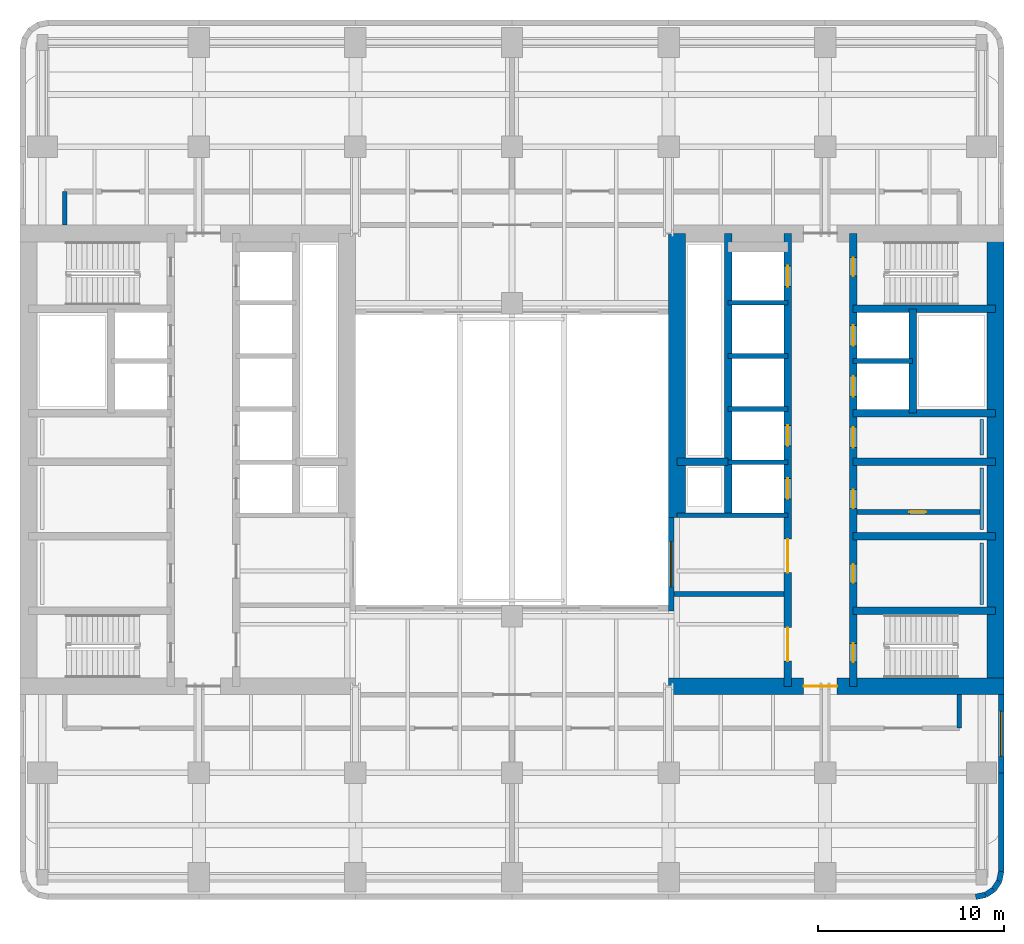
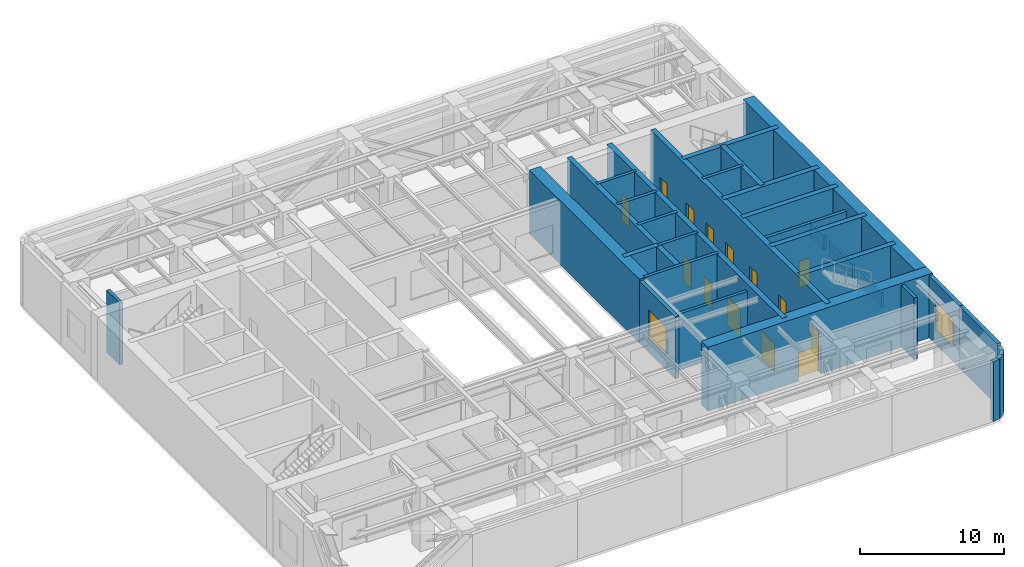
# One storey, part 5 of 10: 33 walls, 14 doors, 2 windows, 16 openings.
"""IFC4 building model written with IfcOpenShell, lengths in metres."""

from ifc_helpers import new_model, si_unit, direction, frame, frame_2d, origin, place, context, subcontext, project, spatial, rectangle, extrude, material, layer, layer_set, type_object, element, fill, save


model = new_model("IFC4")

# Units and contexts
model_context = context("Model", 3, precision=1e-05, world=origin(), true_north=direction((0.0, 1.0)))
body_context = subcontext(model_context, "Body", "Model", "MODEL_VIEW")
ifc_project = project(units=[si_unit("LENGTHUNIT", "METRE"), si_unit("AREAUNIT", "SQUARE_METRE"), si_unit("VOLUMEUNIT", "CUBIC_METRE"), si_unit("PLANEANGLEUNIT", "RADIAN"), si_unit("MASSUNIT", "GRAM", prefix="KILO")], contexts=[model_context])

# Site, building, storey
site_placement = place(None, origin())
site = spatial("IfcSite", under=ifc_project, at=site_placement, CompositionType="ELEMENT")
building_placement = place(site_placement, origin())
building = spatial("IfcBuilding", under=site, at=building_placement, Name="Claustro Exchange Tower", CompositionType="ELEMENT")
storey_placement = place(building_placement, frame((0.0, 0.0, 168.0)))
storey = spatial("IfcBuildingStorey", under=building, at=storey_placement, Name="L38", CompositionType="ELEMENT", Elevation=168.0)

# Walls
ifc_material_1 = material(Name="Concrete blockwork, rendered", Category="masonry")
ifc_layer_1 = layer(ifc_material_1, 0.25)
ifc_layer_set_1 = layer_set([ifc_layer_1], Name="Concrete blockwork, rendered")
wall_type_1 = type_object("IfcWallType", Name="P4 250 blockwork wall", PredefinedType="PARTITIONING", material=ifc_layer_set_1)
wall_1_placement = place(storey_placement, frame((33.89794921875, 18.0, 0.0), z_axis=(0.0, 0.0, 1.0), x_axis=(1.0, 0.0, 0.0)))
element("IfcWall", 1, at=wall_1_placement, inside=storey, type_object=wall_type_1, Name="Partition P4 L38", PredefinedType="PARTITIONING", context=body_context, shape_type="SweptSolid", body=[
    extrude(rectangle(XDim=5.904052734375, YDim=0.25, at=frame_2d((2.9521484375, 0.0))), origin(), (0.0, 0.0, 1.0), 4.75),
])
wall_2_placement = place(storey_placement, frame((49.199951171875, 10.800048828125, 0.0), z_axis=(0.0, 0.0, 1.0), x_axis=(0.0, 1.0, 0.0)))
element("IfcWall", 2, at=wall_2_placement, inside=storey, type_object=wall_type_1, Name="Partition P4 L38", PredefinedType="PARTITIONING", context=body_context, shape_type="SweptSolid", body=[
    extrude(rectangle(XDim=1.802001953125, YDim=0.25, at=frame_2d((0.90087890625, 0.0))), origin(), (0.0, 0.0, 1.0), 5.25),
])
wall_3_placement = place(storey_placement, frame((1.199951171875, 37.800048828125, 0.0), z_axis=(0.0, 0.0, 1.0), x_axis=(0.0, 1.0, 0.0)))
element("IfcWall", 3, at=wall_3_placement, inside=storey, type_object=wall_type_1, Name="Partition P4 L38", PredefinedType="PARTITIONING", context=body_context, shape_type="SweptSolid", body=[
    extrude(rectangle(XDim=1.800048828125, YDim=0.25, at=frame_2d((0.89990234375, 0.0))), origin(), (0.0, 0.0, 1.0), 5.25),
])

# Wall, opening, door
wall_4_placement = place(storey_placement, frame((43.699951171875, 22.39990234375, 0.0), z_axis=(0.0, 0.0, 1.0), x_axis=(1.0, 0.0, 0.0)))
wall_4 = element("IfcWall", 4, at=wall_4_placement, inside=storey, type_object=wall_type_1, Name="Partition P4 L38", PredefinedType="PARTITIONING", context=body_context, shape_type="SweptSolid", body=[
    extrude(rectangle(XDim=6.60009765625, YDim=0.25, at=frame_2d((3.300048828125, 0.0))), origin(), (0.0, 0.0, 1.0), 5.199951171875),
])
opening_1_placement = place(wall_4_placement, frame((2.824951171875, 0.0, 0.0)))
opening_1 = element("IfcOpeningElement", 5, at=opening_1_placement, cuts=wall_4, Name="Opening D5", PredefinedType="OPENING", context=body_context, shape_type="SweptSolid", body=[
    extrude(rectangle(XDim=0.89990234375, YDim=2.199951171875, at=frame_2d((0.449951171875, 1.10009765625))), frame((0.0, 0.135009765625, 0.0), z_axis=(0.0, -1.0, 0.0), x_axis=(1.0, 0.0, 0.0)), (0.0, 0.0, 1.0), 0.27001953125),
])
ifc_material_2 = material(Name="Steel door, painted", Category="steel")
door_type_1 = type_object("IfcDoorType", Name="D5 900 x 2200 store door", OperationType="SINGLE_SWING_LEFT", PredefinedType="DOOR", material=ifc_material_2)
door_1_placement = place(opening_1_placement, frame((0.89990234375, 0.0, 0.0), z_axis=(0.0, 0.0, 1.0), x_axis=(-1.0, 0.0, 0.0)))
door_1 = element("IfcDoor", 6, at=door_1_placement, inside=storey, type_object=door_type_1, Name="Store door D5 L38", OperationType="SINGLE_SWING_LEFT", OverallHeight=2.199951171875, OverallWidth=0.89990234375, PredefinedType="DOOR", context=body_context, shape_type="SweptSolid", body=[
    extrude(rectangle(XDim=0.89990234375, YDim=2.199951171875, at=frame_2d((0.449951171875, 1.10009765625))), frame((0.0, 0.02490234375, 0.0), z_axis=(0.0, -1.0, 0.0), x_axis=(1.0, 0.0, 0.0)), (0.0, 0.0, 1.0), 0.050048828125),
])
fill(opening_1, door_1)

# Wall, opening, window
ifc_material_3 = material(Name="Concrete HA-40 (C40/50), precast, white cement, acid-etched", Category="concrete")
ifc_layer_2 = layer(ifc_material_3, 0.300048828125)
ifc_layer_set_2 = layer_set([ifc_layer_2], Name="Concrete HA-40 (C40/50), precast, white cement, acid-etched")
wall_type_2 = type_object("IfcWallType", Name="PC1 300 precast concrete pier panel", PredefinedType="SOLIDWALL", material=ifc_layer_set_2)
wall_5_placement = place(storey_placement, frame((51.449951171875, 12.60009765625, 0.0), z_axis=(0.0, 0.0, 1.0), x_axis=(0.0, -1.0, 0.0)))
wall_5 = element("IfcWall", 7, at=wall_5_placement, inside=storey, type_object=wall_type_2, Name="Precast pier panel PC1 L38", PredefinedType="SOLIDWALL", context=body_context, shape_type="SweptSolid", body=[
    extrude(rectangle(XDim=4.2001953125, YDim=0.300048828125, at=frame_2d((2.10009765625, 0.0))), origin(), (0.0, 0.0, 1.0), 5.25),
])
opening_2_placement = place(wall_5_placement, frame((0.89990234375, 0.0, 1.199951171875)))
opening_2 = element("IfcOpeningElement", 8, at=opening_2_placement, cuts=wall_5, Name="Opening L2", PredefinedType="OPENING", context=body_context, shape_type="SweptSolid", body=[
    extrude(rectangle(XDim=2.39990234375, YDim=2.39990234375, at=frame_2d((1.199951171875, 1.199951171875))), frame((0.0, 0.159912109375, 0.0), z_axis=(0.0, -1.0, 0.0), x_axis=(1.0, 0.0, 0.0)), (0.0, 0.0, 1.0), 0.320068359375),
])
ifc_material_4 = material(Name="Aluminium louvre blades", Category="aluminium")
window_type = type_object("IfcWindowType", Name="L2 2400 x 2400 plant louvre", PartitioningType="SINGLE_PANEL", PredefinedType="USERDEFINED", material=ifc_material_4)
window_1_placement = place(opening_2_placement, origin())
window_1 = element("IfcWindow", 9, at=window_1_placement, inside=storey, type_object=window_type, Name="Plant louvre L2 L38", ObjectType="LOUVRE", OverallHeight=2.39990234375, OverallWidth=2.39990234375, PartitioningType="SINGLE_PANEL", PredefinedType="USERDEFINED", context=body_context, shape_type="SweptSolid", body=[
    extrude(rectangle(XDim=2.39990234375, YDim=2.39990234375, at=frame_2d((1.199951171875, 1.199951171875))), frame((0.0, 0.030029296875, 0.0), z_axis=(0.0, -1.0, 0.0), x_axis=(1.0, 0.0, 0.0)), (0.0, 0.0, 1.0), 0.06005859375),
])
fill(opening_2, window_1)

# Walls
wall_6_placement = place(storey_placement, frame((51.449951171875, 8.39990234375, 0.0), z_axis=(0.0, 0.0, 1.0), x_axis=(0.0, -1.0, 0.0)))
element("IfcWall", 10, at=wall_6_placement, inside=storey, type_object=wall_type_2, Name="Precast pier panel PC1 L38", PredefinedType="SOLIDWALL", context=body_context, shape_type="SweptSolid", body=[
    extrude(rectangle(XDim=5.28515625, YDim=0.300048828125, at=frame_2d((2.642578125, 0.0))), origin(), (0.0, 0.0, 1.0), 5.239990234375),
])
wall_7_placement = place(storey_placement, frame((51.449951171875, 3.11474609375, 0.0), z_axis=(0.0, 0.0, 1.0), x_axis=(-0.195073962632, -0.980788534345, 0.0)))
element("IfcWall", 11, at=wall_7_placement, inside=storey, type_object=wall_type_2, Name="Precast pier panel PC1 L38", PredefinedType="SOLIDWALL", context=body_context, shape_type="SweptSolid", body=[
    extrude(rectangle(XDim=0.540771484375, YDim=0.300048828125, at=frame_2d((0.2705078125, 0.0))), origin(), (0.0, 0.0, 1.0), 5.0400390625),
])
for number, where, z_axis, x_axis, name in (
    (12, (51.344482421875, 2.58447265625, 0.0), (0.0, 0.0, 1.0), (-0.555557463938, -0.831478144188, 0.0), "Precast pier panel PC1 L38"),
    (13, (51.052490234375, 2.1474609375, 0.0), (0.0, 0.0, 1.0), (-0.831478144188, -0.555557463938, 0.0), "Precast pier panel PC1 L38"),
):
    element("IfcWall", number, at=place(storey_placement, frame(where, z_axis=z_axis, x_axis=x_axis)), inside=storey, type_object=wall_type_2, Name=name, PredefinedType="SOLIDWALL", context=body_context, shape_type="SweptSolid", body=[
        extrude(rectangle(XDim=0.525634765625, YDim=0.300048828125, at=frame_2d((0.2626953125, 0.0))), origin(), (0.0, 0.0, 1.0), 5.0400390625),
    ])
wall_8_placement = place(storey_placement, frame((50.615478515625, 1.85546875, 0.0), z_axis=(0.0, 0.0, 1.0), x_axis=(-0.980788534345, -0.195073962632, 0.0)))
element("IfcWall", 14, at=wall_8_placement, inside=storey, type_object=wall_type_2, Name="Precast pier panel PC1 L38", PredefinedType="SOLIDWALL", context=body_context, shape_type="SweptSolid", body=[
    extrude(rectangle(XDim=0.540771484375, YDim=0.300048828125, at=frame_2d((0.2705078125, 0.0))), origin(), (0.0, 0.0, 1.0), 5.0400390625),
])

# Wall, opening, window
wall_9_placement = place(storey_placement, frame((33.75, 17.10009765625, 0.0), z_axis=(0.0, 0.0, 1.0), x_axis=(0.0, 1.0, 0.0)))
wall_9 = element("IfcWall", 15, at=wall_9_placement, inside=storey, type_object=wall_type_2, Name="Precast pier panel PC1 L38", PredefinedType="SOLIDWALL", context=body_context, shape_type="SweptSolid", body=[
    extrude(rectangle(XDim=5.0, YDim=0.300048828125, at=frame_2d((2.5, 0.0))), origin(), (0.0, 0.0, 1.0), 5.25),
])
opening_3_placement = place(wall_9_placement, frame((1.300048828125, 0.0, 1.199951171875)))
opening_3 = element("IfcOpeningElement", 16, at=opening_3_placement, cuts=wall_9, Name="Opening L2", PredefinedType="OPENING", context=body_context, shape_type="SweptSolid", body=[
    extrude(rectangle(XDim=2.39990234375, YDim=2.39990234375, at=frame_2d((1.199951171875, 1.199951171875))), frame((0.0, 0.159912109375, 0.0), z_axis=(0.0, -1.0, 0.0), x_axis=(1.0, 0.0, 0.0)), (0.0, 0.0, 1.0), 0.320068359375),
])
window_2_placement = place(opening_3_placement, origin())
window_2 = element("IfcWindow", 17, at=window_2_placement, inside=storey, type_object=window_type, Name="Plant louvre L2 L38", ObjectType="LOUVRE", OverallHeight=2.39990234375, OverallWidth=2.39990234375, PartitioningType="SINGLE_PANEL", PredefinedType="USERDEFINED", context=body_context, shape_type="SweptSolid", body=[
    extrude(rectangle(XDim=2.39990234375, YDim=2.39990234375, at=frame_2d((1.199951171875, 1.199951171875))), frame((0.0, 0.030029296875, 0.0), z_axis=(0.0, -1.0, 0.0), x_axis=(1.0, 0.0, 0.0)), (0.0, 0.0, 1.0), 0.06005859375),
])
fill(opening_3, window_2)

# Walls
ifc_material_5 = material(Name="Gypsum board on steel studs, tiled", Category="steel")
ifc_layer_3 = layer(ifc_material_5, 0.199951171875)
ifc_layer_set_3 = layer_set([ifc_layer_3], Name="Gypsum board on steel studs, tiled")
wall_type_3 = type_object("IfcWallType", Name="PW1 200 WC duct wall", PredefinedType="PLUMBINGWALL", material=ifc_layer_set_3)
for number, where, z_axis, x_axis, name in (
    (18, (50.39990234375, 17.449951171875, 0.0), (0.0, 0.0, 1.0), (0.0, 1.0, 0.0), "WC duct wall PW1 L38"),
    (19, (50.39990234375, 21.449951171875, 0.0), (0.0, 0.0, 1.0), (0.0, 1.0, 0.0), "WC duct wall PW1 L38"),
):
    element("IfcWall", number, at=place(storey_placement, frame(where, z_axis=z_axis, x_axis=x_axis)), inside=storey, type_object=wall_type_3, Name=name, PredefinedType="PLUMBINGWALL", context=body_context, shape_type="SweptSolid", body=[
        extrude(rectangle(XDim=3.300048828125, YDim=0.199951171875, at=frame_2d((1.64990234375, 0.0))), origin(), (0.0, 0.0, 1.0), 1.199951171875),
    ])
wall_10_placement = place(storey_placement, frame((50.39990234375, 25.449951171875, 0.0), z_axis=(0.0, 0.0, 1.0), x_axis=(0.0, 1.0, 0.0)))
element("IfcWall", 20, at=wall_10_placement, inside=storey, type_object=wall_type_3, Name="WC duct wall PW1 L38", PredefinedType="PLUMBINGWALL", context=body_context, shape_type="SweptSolid", body=[
    extrude(rectangle(XDim=1.900146484375, YDim=0.199951171875, at=frame_2d((0.9501953125, 0.0))), origin(), (0.0, 0.0, 1.0), 1.199951171875),
])

# Wall, opening, door
ifc_material_6 = material(Name="Concrete HA-70 (C70/85)", Category="concrete")
ifc_layer_4 = layer(ifc_material_6, 0.89990234375)
ifc_layer_set_4 = layer_set([ifc_layer_4], Name="Concrete HA-70 (C70/85)")
wall_type_4 = type_object("IfcWallType", Name="SW1 900 core shear wall", PredefinedType="SHEAR", material=ifc_layer_set_4)
wall_11_placement = place(storey_placement, frame((33.60009765625, 13.050048828125, 0.0), z_axis=(0.0, 0.0, 1.0), x_axis=(1.0, 0.0, 0.0)))
wall_11 = element("IfcWall", 21, at=wall_11_placement, inside=storey, type_object=wall_type_4, Name="Core wall SW1 E core S face L38", PredefinedType="SHEAR", context=body_context, shape_type="SweptSolid", body=[
    extrude(rectangle(XDim=18.0, YDim=0.89990234375, at=frame_2d((9.0, 0.0))), origin(), (0.0, 0.0, 1.0), 5.39990234375),
])
opening_4_placement = place(wall_11_placement, frame((7.25, 0.0, 0.0)))
opening_4 = element("IfcOpeningElement", 22, at=opening_4_placement, cuts=wall_11, Name="Opening D3", PredefinedType="OPENING", context=body_context, shape_type="SweptSolid", body=[
    extrude(rectangle(XDim=1.800048828125, YDim=2.39990234375, at=frame_2d((0.89990234375, 1.199951171875))), frame((0.0, 0.4599609375, 0.0), z_axis=(0.0, -1.0, 0.0), x_axis=(1.0, 0.0, 0.0)), (0.0, 0.0, 1.0), 0.919921875),
])
ifc_material_7 = material(Name="Steel fire door, painted", Category="steel")
door_type_2 = type_object("IfcDoorType", Name="D3 1800 x 2400 fire-rated lobby double door", OperationType="DOUBLE_DOOR_SINGLE_SWING", PredefinedType="DOOR", material=ifc_material_7)
door_2_placement = place(opening_4_placement, origin())
door_2 = element("IfcDoor", 23, at=door_2_placement, inside=storey, type_object=door_type_2, Name="Lift lobby door D3 L38", OperationType="DOUBLE_DOOR_SINGLE_SWING", OverallHeight=2.39990234375, OverallWidth=1.800048828125, PredefinedType="DOOR", context=body_context, shape_type="SweptSolid", body=[
    extrude(rectangle(XDim=1.800048828125, YDim=2.39990234375, at=frame_2d((0.89990234375, 1.199951171875))), frame((0.0, 0.02490234375, 0.0), z_axis=(0.0, -1.0, 0.0), x_axis=(1.0, 0.0, 0.0)), (0.0, 0.0, 1.0), 0.050048828125),
])
fill(opening_4, door_2)

# Walls
ifc_material_8 = material(Name="Concrete HA-70 (C70/85)", Category="concrete")
ifc_layer_5 = layer(ifc_material_8, 0.89990234375)
ifc_layer_set_5 = layer_set([ifc_layer_5], Name="Concrete HA-70 (C70/85)")
wall_type_5 = type_object("IfcWallType", Name="SW1X 900 exposed core shear wall, board-marked face", PredefinedType="SHEAR", material=ifc_layer_set_5)
wall_12_placement = place(storey_placement, frame((34.050048828125, 22.10009765625, 0.0), z_axis=(0.0, 0.0, 1.0), x_axis=(0.0, 1.0, 0.0)))
element("IfcWall", 24, at=wall_12_placement, inside=storey, type_object=wall_type_5, Name="Core wall SW1X E core W face L38", PredefinedType="SHEAR", context=body_context, shape_type="SweptSolid", body=[
    extrude(rectangle(XDim=15.25, YDim=0.89990234375, at=frame_2d((7.625, 0.0))), origin(), (0.0, 0.0, 1.0), 5.39990234375),
])
wall_13_placement = place(storey_placement, frame((51.14990234375, 13.050048828125, 0.0), z_axis=(0.0, 0.0, 1.0), x_axis=(0.0, 1.0, 0.0)))
element("IfcWall", 25, at=wall_13_placement, inside=storey, type_object=wall_type_5, Name="Core wall SW1X E core E face L38", PredefinedType="SHEAR", context=body_context, shape_type="SweptSolid", body=[
    extrude(rectangle(XDim=24.300048828125, YDim=0.89990234375, at=frame_2d((12.14990234375, 0.0))), origin(), (0.0, 0.0, 1.0), 5.39990234375),
])

# Wall, openings, doors
ifc_material_9 = material(Name="Concrete HA-50 (C50/60)", Category="concrete")
ifc_layer_6 = layer(ifc_material_9, 0.39990234375)
ifc_layer_set_6 = layer_set([ifc_layer_6], Name="Concrete HA-50 (C50/60)")
wall_type_6 = type_object("IfcWallType", Name="SW4 400 internal core wall", PredefinedType="SHEAR", material=ifc_layer_set_6)
wall_14_placement = place(storey_placement, frame((43.5, 13.050048828125, 0.0), z_axis=(0.0, 0.0, 1.0), x_axis=(0.0, 1.0, 0.0)))
wall_14 = element("IfcWall", 26, at=wall_14_placement, inside=storey, type_object=wall_type_6, Name="Internal core wall SW4 E core L38", PredefinedType="SHEAR", context=body_context, shape_type="SweptSolid", body=[
    extrude(rectangle(XDim=24.300048828125, YDim=0.39990234375, at=frame_2d((12.14990234375, 0.0))), origin(), (0.0, 0.0, 1.0), 5.39990234375),
])
opening_5_placement = place(wall_14_placement, frame((1.300048828125, 0.0, 0.0)))
opening_5 = element("IfcOpeningElement", 27, at=opening_5_placement, cuts=wall_14, Name="Opening D4", PredefinedType="OPENING", context=body_context, shape_type="SweptSolid", body=[
    extrude(rectangle(XDim=1.0, YDim=2.199951171875, at=frame_2d((0.5, 1.10009765625))), frame((0.0, 0.2099609375, 0.0), z_axis=(0.0, -1.0, 0.0), x_axis=(1.0, 0.0, 0.0)), (0.0, 0.0, 1.0), 0.419921875),
])
opening_6_placement = place(wall_14_placement, frame((22.0, 0.0, 0.0)))
opening_6 = element("IfcOpeningElement", 28, at=opening_6_placement, cuts=wall_14, Name="Opening D4", PredefinedType="OPENING", context=body_context, shape_type="SweptSolid", body=[
    extrude(rectangle(XDim=1.0, YDim=2.199951171875, at=frame_2d((0.5, 1.10009765625))), frame((0.0, 0.2099609375, 0.0), z_axis=(0.0, -1.0, 0.0), x_axis=(1.0, 0.0, 0.0)), (0.0, 0.0, 1.0), 0.419921875),
])
opening_7_placement = place(wall_14_placement, frame((5.550048828125, 0.0, 0.0)))
opening_7 = element("IfcOpeningElement", 29, at=opening_7_placement, cuts=wall_14, Name="Opening D1", PredefinedType="OPENING", context=body_context, shape_type="SweptSolid", body=[
    extrude(rectangle(XDim=1.0, YDim=2.199951171875, at=frame_2d((0.5, 1.10009765625))), frame((0.0, 0.2099609375, 0.0), z_axis=(0.0, -1.0, 0.0), x_axis=(1.0, 0.0, 0.0)), (0.0, 0.0, 1.0), 0.419921875),
])
opening_8_placement = place(wall_14_placement, frame((9.550048828125, 0.0, 0.0)))
opening_8 = element("IfcOpeningElement", 30, at=opening_8_placement, cuts=wall_14, Name="Opening D1", PredefinedType="OPENING", context=body_context, shape_type="SweptSolid", body=[
    extrude(rectangle(XDim=1.0, YDim=2.199951171875, at=frame_2d((0.5, 1.10009765625))), frame((0.0, 0.2099609375, 0.0), z_axis=(0.0, -1.0, 0.0), x_axis=(1.0, 0.0, 0.0)), (0.0, 0.0, 1.0), 0.419921875),
])
opening_9_placement = place(wall_14_placement, frame((12.800048828125, 0.0, 0.0)))
opening_9 = element("IfcOpeningElement", 31, at=opening_9_placement, cuts=wall_14, Name="Opening D10", PredefinedType="OPENING", context=body_context, shape_type="SweptSolid", body=[
    extrude(rectangle(XDim=1.10009765625, YDim=2.199951171875, at=frame_2d((0.550048828125, 1.10009765625))), frame((0.0, 0.2099609375, 0.0), z_axis=(0.0, -1.0, 0.0), x_axis=(1.0, 0.0, 0.0)), (0.0, 0.0, 1.0), 0.419921875),
])
opening_10_placement = place(wall_14_placement, frame((15.53759765625, 0.0, 0.0)))
opening_10 = element("IfcOpeningElement", 32, at=opening_10_placement, cuts=wall_14, Name="Opening LD", PredefinedType="OPENING", context=body_context, shape_type="SweptSolid", body=[
    extrude(rectangle(XDim=1.10009765625, YDim=2.199951171875, at=frame_2d((0.550048828125, 1.10009765625))), frame((0.0, 0.2099609375, 0.0), z_axis=(0.0, -1.0, 0.0), x_axis=(1.0, 0.0, 0.0)), (0.0, 0.0, 1.0), 0.419921875),
])
opening_11_placement = place(wall_14_placement, frame((18.262451171875, 0.0, 0.0)))
opening_11 = element("IfcOpeningElement", 33, at=opening_11_placement, cuts=wall_14, Name="Opening LD", PredefinedType="OPENING", context=body_context, shape_type="SweptSolid", body=[
    extrude(rectangle(XDim=1.10009765625, YDim=2.199951171875, at=frame_2d((0.550048828125, 1.10009765625))), frame((0.0, 0.2099609375, 0.0), z_axis=(0.0, -1.0, 0.0), x_axis=(1.0, 0.0, 0.0)), (0.0, 0.0, 1.0), 0.419921875),
])
ifc_material_10 = material(Name="Timber door, oak veneer", Category="wood")
door_type_3 = type_object("IfcDoorType", Name="D1 1000 x 2200 single door", OperationType="SINGLE_SWING_LEFT", PredefinedType="DOOR", material=ifc_material_10)
door_3_placement = place(opening_7_placement, frame((1.0, 0.0, 0.0), z_axis=(0.0, 0.0, 1.0), x_axis=(-1.0, 0.0, 0.0)))
door_3 = element("IfcDoor", 34, at=door_3_placement, inside=storey, type_object=door_type_3, Name="Door D1 L38", OperationType="SINGLE_SWING_LEFT", OverallHeight=2.199951171875, OverallWidth=1.0, PredefinedType="DOOR", context=body_context, shape_type="SweptSolid", body=[
    extrude(rectangle(XDim=1.0, YDim=2.199951171875, at=frame_2d((0.5, 1.10009765625))), frame((0.0, 0.02490234375, 0.0), z_axis=(0.0, -1.0, 0.0), x_axis=(1.0, 0.0, 0.0)), (0.0, 0.0, 1.0), 0.050048828125),
])
fill(opening_7, door_3)
door_4_placement = place(opening_8_placement, frame((1.0, 0.0, 0.0), z_axis=(0.0, 0.0, 1.0), x_axis=(-1.0, 0.0, 0.0)))
door_4 = element("IfcDoor", 35, at=door_4_placement, inside=storey, type_object=door_type_3, Name="Door D1 L38", OperationType="SINGLE_SWING_RIGHT", OverallHeight=2.199951171875, OverallWidth=1.0, PredefinedType="DOOR", context=body_context, shape_type="SweptSolid", body=[
    extrude(rectangle(XDim=1.0, YDim=2.199951171875, at=frame_2d((0.5, 1.10009765625))), frame((0.0, 0.02490234375, 0.0), z_axis=(0.0, -1.0, 0.0), x_axis=(1.0, 0.0, 0.0)), (0.0, 0.0, 1.0), 0.050048828125),
])
fill(opening_8, door_4)
ifc_material_11 = material(Name="Timber door, oak veneer", Category="wood")
door_type_4 = type_object("IfcDoorType", Name="D10 1100 x 2200 accessible WC door", OperationType="SINGLE_SWING_LEFT", PredefinedType="DOOR", material=ifc_material_11)
door_5_placement = place(opening_9_placement, origin())
door_5 = element("IfcDoor", 36, at=door_5_placement, inside=storey, type_object=door_type_4, Name="Accessible WC door D10 L38", OperationType="SINGLE_SWING_RIGHT", OverallHeight=2.199951171875, OverallWidth=1.10009765625, PredefinedType="DOOR", context=body_context, shape_type="SweptSolid", body=[
    extrude(rectangle(XDim=1.10009765625, YDim=2.199951171875, at=frame_2d((0.550048828125, 1.10009765625))), frame((0.0, 0.02490234375, 0.0), z_axis=(0.0, -1.0, 0.0), x_axis=(1.0, 0.0, 0.0)), (0.0, 0.0, 1.0), 0.050048828125),
])
fill(opening_9, door_5)
ifc_material_12 = material(Name="Steel fire door, painted", Category="steel")
door_type_5 = type_object("IfcDoorType", Name="D4 1000 x 2200 fire-rated stair door", OperationType="SINGLE_SWING_LEFT", PredefinedType="DOOR", material=ifc_material_12)
door_6_placement = place(opening_5_placement, frame((1.0, 0.0, 0.0), z_axis=(0.0, 0.0, 1.0), x_axis=(-1.0, 0.0, 0.0)))
door_6 = element("IfcDoor", 37, at=door_6_placement, inside=storey, type_object=door_type_5, Name="Stair door D4 L38", OperationType="SINGLE_SWING_RIGHT", OverallHeight=2.199951171875, OverallWidth=1.0, PredefinedType="DOOR", context=body_context, shape_type="SweptSolid", body=[
    extrude(rectangle(XDim=1.0, YDim=2.199951171875, at=frame_2d((0.5, 1.10009765625))), frame((0.0, 0.02490234375, 0.0), z_axis=(0.0, -1.0, 0.0), x_axis=(1.0, 0.0, 0.0)), (0.0, 0.0, 1.0), 0.050048828125),
])
fill(opening_5, door_6)
door_7_placement = place(opening_6_placement, frame((1.0, 0.0, 0.0), z_axis=(0.0, 0.0, 1.0), x_axis=(-1.0, 0.0, 0.0)))
door_7 = element("IfcDoor", 38, at=door_7_placement, inside=storey, type_object=door_type_5, Name="Stair door D4 L38", OperationType="SINGLE_SWING_LEFT", OverallHeight=2.199951171875, OverallWidth=1.0, PredefinedType="DOOR", context=body_context, shape_type="SweptSolid", body=[
    extrude(rectangle(XDim=1.0, YDim=2.199951171875, at=frame_2d((0.5, 1.10009765625))), frame((0.0, 0.02490234375, 0.0), z_axis=(0.0, -1.0, 0.0), x_axis=(1.0, 0.0, 0.0)), (0.0, 0.0, 1.0), 0.050048828125),
])
fill(opening_6, door_7)
ifc_material_13 = material(Name="Stainless steel sliding door", Category="steel")
door_type_6 = type_object("IfcDoorType", Name="LD 1100 x 2200 lift landing door", OperationType="DOUBLE_DOOR_SLIDING", PredefinedType="DOOR", material=ifc_material_13)
door_8_placement = place(opening_10_placement, origin())
door_8 = element("IfcDoor", 39, at=door_8_placement, inside=storey, type_object=door_type_6, Name="Lift landing door LEE1 LD L38", OperationType="DOUBLE_DOOR_SLIDING", OverallHeight=2.199951171875, OverallWidth=1.10009765625, PredefinedType="DOOR", context=body_context, shape_type="SweptSolid", body=[
    extrude(rectangle(XDim=1.10009765625, YDim=2.199951171875, at=frame_2d((0.550048828125, 1.10009765625))), frame((0.0, 0.02490234375, 0.0), z_axis=(0.0, -1.0, 0.0), x_axis=(1.0, 0.0, 0.0)), (0.0, 0.0, 1.0), 0.050048828125),
])
fill(opening_10, door_8)
door_9_placement = place(opening_11_placement, origin())
door_9 = element("IfcDoor", 40, at=door_9_placement, inside=storey, type_object=door_type_6, Name="Lift landing door LEE2 LD L38", OperationType="DOUBLE_DOOR_SLIDING", OverallHeight=2.199951171875, OverallWidth=1.10009765625, PredefinedType="DOOR", context=body_context, shape_type="SweptSolid", body=[
    extrude(rectangle(XDim=1.10009765625, YDim=2.199951171875, at=frame_2d((0.550048828125, 1.10009765625))), frame((0.0, 0.02490234375, 0.0), z_axis=(0.0, -1.0, 0.0), x_axis=(1.0, 0.0, 0.0)), (0.0, 0.0, 1.0), 0.050048828125),
])
fill(opening_11, door_9)

wall_15_placement = place(storey_placement, frame((40.0, 13.050048828125, 0.0), z_axis=(0.0, 0.0, 1.0), x_axis=(0.0, 1.0, 0.0)))
wall_15 = element("IfcWall", 41, at=wall_15_placement, inside=storey, type_object=wall_type_6, Name="Internal core wall SW4 E core L38", PredefinedType="SHEAR", context=body_context, shape_type="SweptSolid", body=[
    extrude(rectangle(XDim=24.300048828125, YDim=0.39990234375, at=frame_2d((12.14990234375, 0.0))), origin(), (0.0, 0.0, 1.0), 5.39990234375),
])
opening_12_placement = place(wall_15_placement, frame((10.050048828125, 0.0, 0.0)))
opening_12 = element("IfcOpeningElement", 42, at=opening_12_placement, cuts=wall_15, Name="Opening LD", PredefinedType="OPENING", context=body_context, shape_type="SweptSolid", body=[
    extrude(rectangle(XDim=1.10009765625, YDim=2.199951171875, at=frame_2d((0.550048828125, 1.10009765625))), frame((0.0, 0.2099609375, 0.0), z_axis=(0.0, -1.0, 0.0), x_axis=(1.0, 0.0, 0.0)), (0.0, 0.0, 1.0), 0.419921875),
])
opening_13_placement = place(wall_15_placement, frame((12.89990234375, 0.0, 0.0)))
opening_13 = element("IfcOpeningElement", 43, at=opening_13_placement, cuts=wall_15, Name="Opening LD", PredefinedType="OPENING", context=body_context, shape_type="SweptSolid", body=[
    extrude(rectangle(XDim=1.10009765625, YDim=2.199951171875, at=frame_2d((0.550048828125, 1.10009765625))), frame((0.0, 0.2099609375, 0.0), z_axis=(0.0, -1.0, 0.0), x_axis=(1.0, 0.0, 0.0)), (0.0, 0.0, 1.0), 0.419921875),
])
opening_14_placement = place(wall_15_placement, frame((21.449951171875, 0.0, 0.0)))
opening_14 = element("IfcOpeningElement", 44, at=opening_14_placement, cuts=wall_15, Name="Opening LD", PredefinedType="OPENING", context=body_context, shape_type="SweptSolid", body=[
    extrude(rectangle(XDim=1.10009765625, YDim=2.199951171875, at=frame_2d((0.550048828125, 1.10009765625))), frame((0.0, 0.2099609375, 0.0), z_axis=(0.0, -1.0, 0.0), x_axis=(1.0, 0.0, 0.0)), (0.0, 0.0, 1.0), 0.419921875),
])
opening_15_placement = place(wall_15_placement, frame((6.10009765625, 0.0, 0.0)))
opening_15 = element("IfcOpeningElement", 45, at=opening_15_placement, cuts=wall_15, Name="Opening D3", PredefinedType="OPENING", context=body_context, shape_type="SweptSolid", body=[
    extrude(rectangle(XDim=1.800048828125, YDim=2.39990234375, at=frame_2d((0.89990234375, 1.199951171875))), frame((0.0, 0.2099609375, 0.0), z_axis=(0.0, -1.0, 0.0), x_axis=(1.0, 0.0, 0.0)), (0.0, 0.0, 1.0), 0.419921875),
])
opening_16_placement = place(wall_15_placement, frame((1.35009765625, 0.0, 0.0)))
opening_16 = element("IfcOpeningElement", 46, at=opening_16_placement, cuts=wall_15, Name="Opening D3", PredefinedType="OPENING", context=body_context, shape_type="SweptSolid", body=[
    extrude(rectangle(XDim=1.800048828125, YDim=2.39990234375, at=frame_2d((0.89990234375, 1.199951171875))), frame((0.0, 0.2099609375, 0.0), z_axis=(0.0, -1.0, 0.0), x_axis=(1.0, 0.0, 0.0)), (0.0, 0.0, 1.0), 0.419921875),
])
door_10_placement = place(opening_15_placement, origin())
door_10 = element("IfcDoor", 47, at=door_10_placement, inside=storey, type_object=door_type_2, Name="Core zone door D3 L38", OperationType="DOUBLE_DOOR_SINGLE_SWING", OverallHeight=2.39990234375, OverallWidth=1.800048828125, PredefinedType="DOOR", context=body_context, shape_type="SweptSolid", body=[
    extrude(rectangle(XDim=1.800048828125, YDim=2.39990234375, at=frame_2d((0.89990234375, 1.199951171875))), frame((0.0, 0.02490234375, 0.0), z_axis=(0.0, -1.0, 0.0), x_axis=(1.0, 0.0, 0.0)), (0.0, 0.0, 1.0), 0.050048828125),
])
fill(opening_15, door_10)
door_11_placement = place(opening_16_placement, origin())
door_11 = element("IfcDoor", 48, at=door_11_placement, inside=storey, type_object=door_type_2, Name="Core zone door D3 L38", OperationType="DOUBLE_DOOR_SINGLE_SWING", OverallHeight=2.39990234375, OverallWidth=1.800048828125, PredefinedType="DOOR", context=body_context, shape_type="SweptSolid", body=[
    extrude(rectangle(XDim=1.800048828125, YDim=2.39990234375, at=frame_2d((0.89990234375, 1.199951171875))), frame((0.0, 0.02490234375, 0.0), z_axis=(0.0, -1.0, 0.0), x_axis=(1.0, 0.0, 0.0)), (0.0, 0.0, 1.0), 0.050048828125),
])
fill(opening_16, door_11)
door_12_placement = place(opening_12_placement, origin())
door_12 = element("IfcDoor", 49, at=door_12_placement, inside=storey, type_object=door_type_6, Name="Lift landing door LME1 LD L38", OperationType="DOUBLE_DOOR_SLIDING", OverallHeight=2.199951171875, OverallWidth=1.10009765625, PredefinedType="DOOR", context=body_context, shape_type="SweptSolid", body=[
    extrude(rectangle(XDim=1.10009765625, YDim=2.199951171875, at=frame_2d((0.550048828125, 1.10009765625))), frame((0.0, 0.02490234375, 0.0), z_axis=(0.0, -1.0, 0.0), x_axis=(1.0, 0.0, 0.0)), (0.0, 0.0, 1.0), 0.050048828125),
])
fill(opening_12, door_12)
door_13_placement = place(opening_13_placement, origin())
door_13 = element("IfcDoor", 50, at=door_13_placement, inside=storey, type_object=door_type_6, Name="Lift landing door LME2 LD L38", OperationType="DOUBLE_DOOR_SLIDING", OverallHeight=2.199951171875, OverallWidth=1.10009765625, PredefinedType="DOOR", context=body_context, shape_type="SweptSolid", body=[
    extrude(rectangle(XDim=1.10009765625, YDim=2.199951171875, at=frame_2d((0.550048828125, 1.10009765625))), frame((0.0, 0.02490234375, 0.0), z_axis=(0.0, -1.0, 0.0), x_axis=(1.0, 0.0, 0.0)), (0.0, 0.0, 1.0), 0.050048828125),
])
fill(opening_13, door_13)
door_14_placement = place(opening_14_placement, origin())
door_14 = element("IfcDoor", 51, at=door_14_placement, inside=storey, type_object=door_type_6, Name="Lift landing door LSE1 LD L38", OperationType="DOUBLE_DOOR_SLIDING", OverallHeight=2.199951171875, OverallWidth=1.10009765625, PredefinedType="DOOR", context=body_context, shape_type="SweptSolid", body=[
    extrude(rectangle(XDim=1.10009765625, YDim=2.199951171875, at=frame_2d((0.550048828125, 1.10009765625))), frame((0.0, 0.02490234375, 0.0), z_axis=(0.0, -1.0, 0.0), x_axis=(1.0, 0.0, 0.0)), (0.0, 0.0, 1.0), 0.050048828125),
])
fill(opening_14, door_14)

# Walls
wall_16_placement = place(storey_placement, frame((36.800048828125, 22.22509765625, 0.0), z_axis=(0.0, 0.0, 1.0), x_axis=(0.0, 1.0, 0.0)))
element("IfcWall", 52, at=wall_16_placement, inside=storey, type_object=wall_type_6, Name="Internal core wall SW4 E core L38", PredefinedType="SHEAR", context=body_context, shape_type="SweptSolid", body=[
    extrude(rectangle(XDim=15.125, YDim=0.39990234375, at=frame_2d((7.5625, 0.0))), origin(), (0.0, 0.0, 1.0), 5.39990234375),
])
for number, where, z_axis, x_axis, name in (
    (53, (51.14990234375, 17.10009765625, 0.0), (0.0, 0.0, 1.0), (-1.0, 0.0, 0.0), "Internal core wall SW4 E core L38"),
    (54, (51.14990234375, 21.10009765625, 0.0), (0.0, 0.0, 1.0), (-1.0, 0.0, 0.0), "Internal core wall SW4 E core L38"),
    (55, (51.14990234375, 25.10009765625, 0.0), (0.0, 0.0, 1.0), (-1.0, 0.0, 0.0), "Internal core wall SW4 E core L38"),
    (56, (51.14990234375, 27.699951171875, 0.0), (0.0, 0.0, 1.0), (-1.0, 0.0, 0.0), "Internal core wall SW4 E core L38"),
    (57, (51.14990234375, 33.300048828125, 0.0), (0.0, 0.0, 1.0), (-1.0, 0.0, 0.0), "Internal core wall SW4 E core L38"),
):
    element("IfcWall", number, at=place(storey_placement, frame(where, z_axis=z_axis, x_axis=x_axis)), inside=storey, type_object=wall_type_6, Name=name, PredefinedType="SHEAR", context=body_context, shape_type="SweptSolid", body=[
        extrude(rectangle(XDim=7.64990234375, YDim=0.39990234375, at=frame_2d((3.824951171875, 0.0))), origin(), (0.0, 0.0, 1.0), 5.39990234375),
    ])
wall_17_placement = place(storey_placement, frame((46.699951171875, 27.699951171875, 0.0), z_axis=(0.0, 0.0, 1.0), x_axis=(0.0, 1.0, 0.0)))
element("IfcWall", 58, at=wall_17_placement, inside=storey, type_object=wall_type_6, Name="Internal core wall SW4 E core L38", PredefinedType="SHEAR", context=body_context, shape_type="SweptSolid", body=[
    extrude(rectangle(XDim=5.60009765625, YDim=0.39990234375, at=frame_2d((2.800048828125, 0.0))), origin(), (0.0, 0.0, 1.0), 5.39990234375),
])
wall_18_placement = place(storey_placement, frame((36.800048828125, 25.10009765625, 0.0), z_axis=(0.0, 0.0, 1.0), x_axis=(-1.0, 0.0, 0.0)))
element("IfcWall", 59, at=wall_18_placement, inside=storey, type_object=wall_type_6, Name="Internal core wall SW4 E core L38", PredefinedType="SHEAR", context=body_context, shape_type="SweptSolid", body=[
    extrude(rectangle(XDim=2.75, YDim=0.39990234375, at=frame_2d((1.375, 0.0))), origin(), (0.0, 0.0, 1.0), 5.39990234375),
])
ifc_material_14 = material(Name="Concrete HA-50 (C50/60)", Category="concrete")
ifc_layer_7 = layer(ifc_material_14, 0.25)
ifc_layer_set_7 = layer_set([ifc_layer_7], Name="Concrete HA-50 (C50/60)")
wall_type_7 = type_object("IfcWallType", Name="SW5 250 lift shaft divider wall", PredefinedType="SHEAR", material=ifc_layer_set_7)
wall_19_placement = place(storey_placement, frame((46.699951171875, 30.5, 0.0), z_axis=(0.0, 0.0, 1.0), x_axis=(-1.0, 0.0, 0.0)))
element("IfcWall", 60, at=wall_19_placement, inside=storey, type_object=wall_type_7, Name="Lift shaft wall E core L38", PredefinedType="SHEAR", context=body_context, shape_type="SweptSolid", body=[
    extrude(rectangle(XDim=3.199951171875, YDim=0.25, at=frame_2d((1.60009765625, 0.0))), origin(), (0.0, 0.0, 1.0), 5.39990234375),
])
wall_20_placement = place(storey_placement, frame((40.0, 22.22509765625, 0.0), z_axis=(0.0, 0.0, 1.0), x_axis=(-1.0, 0.0, 0.0)))
element("IfcWall", 61, at=wall_20_placement, inside=storey, type_object=wall_type_7, Name="Core step wall E core L38", PredefinedType="SHEAR", context=body_context, shape_type="SweptSolid", body=[
    extrude(rectangle(XDim=5.949951171875, YDim=0.25, at=frame_2d((2.97509765625, 0.0))), origin(), (0.0, 0.0, 1.0), 5.39990234375),
])
for number, where, z_axis, x_axis, name in (
    (62, (40.0, 25.074951171875, 0.0), (0.0, 0.0, 1.0), (-1.0, 0.0, 0.0), "Lift shaft wall E core L38"),
    (63, (40.0, 27.925048828125, 0.0), (0.0, 0.0, 1.0), (-1.0, 0.0, 0.0), "Lift shaft wall E core L38"),
    (64, (40.0, 30.77490234375, 0.0), (0.0, 0.0, 1.0), (-1.0, 0.0, 0.0), "Lift shaft wall E core L38"),
    (65, (40.0, 33.625, 0.0), (0.0, 0.0, 1.0), (-1.0, 0.0, 0.0), "Lift shaft wall E core L38"),
):
    element("IfcWall", number, at=place(storey_placement, frame(where, z_axis=z_axis, x_axis=x_axis)), inside=storey, type_object=wall_type_7, Name=name, PredefinedType="SHEAR", context=body_context, shape_type="SweptSolid", body=[
        extrude(rectangle(XDim=3.199951171875, YDim=0.25, at=frame_2d((1.60009765625, 0.0))), origin(), (0.0, 0.0, 1.0), 5.39990234375),
    ])

save(model, "model.ifc")
